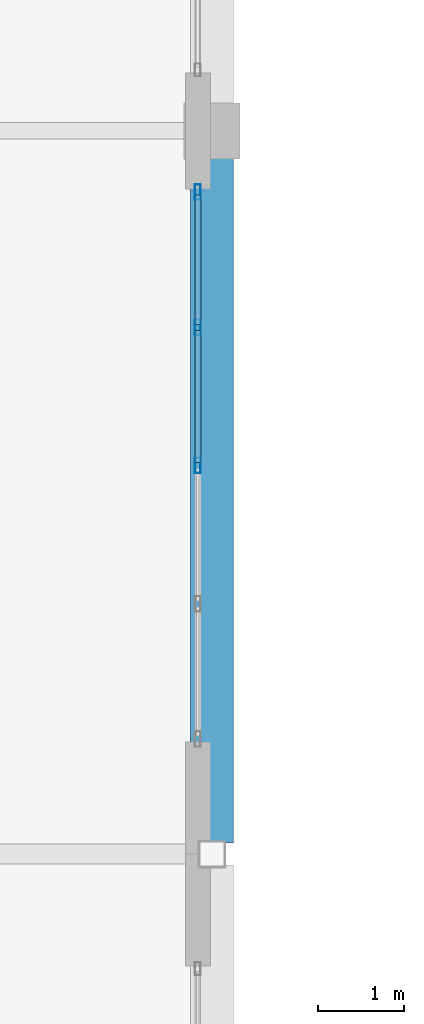
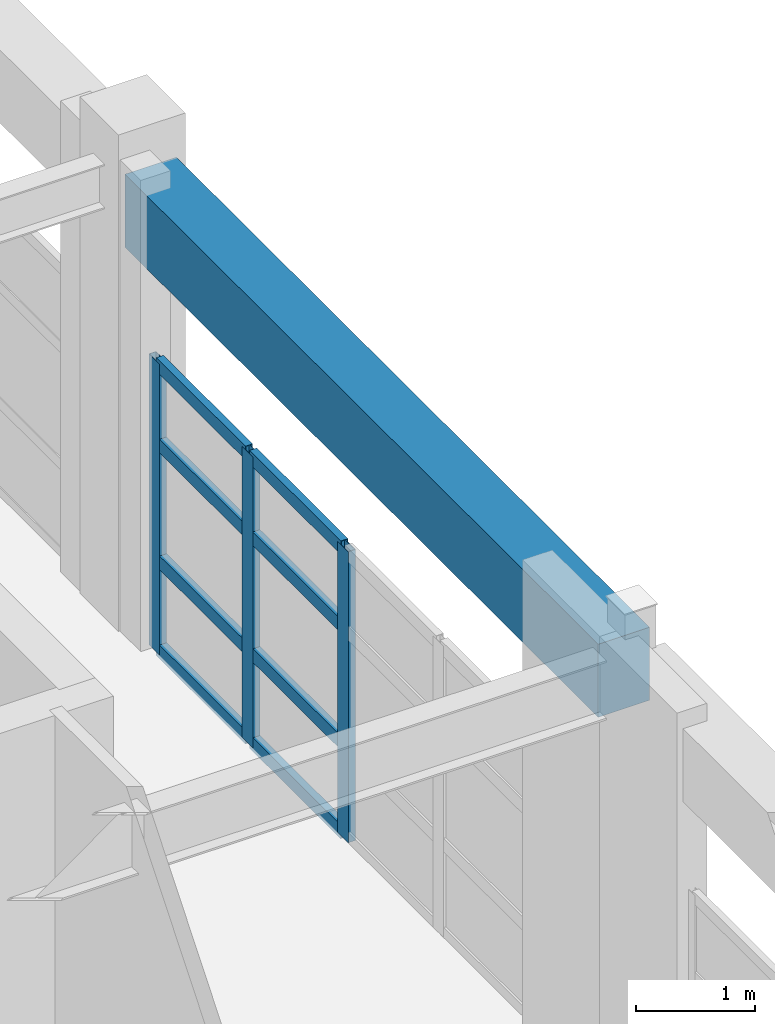
# One storey, part 19 of 78: 11 members, 1 beam, 1 element without a shape of its own.
"""IFC4 building model written with IfcOpenShell, lengths in metres."""

from ifc_helpers import new_model, si_unit, direction, frame, origin, origin_2d, place, context, subcontext, project, spatial, rectangle, hollow_rectangle, extrude, material, layer, layer_set, material_profile, profile_set, type_object, element, aggregate, save


model = new_model("IFC4")

# Units and contexts
model_context = context("Model", 3, precision=1e-05, world=origin(), true_north=direction((0.0, 1.0)))
body_context = subcontext(model_context, "Body", "Model", "MODEL_VIEW")
ifc_project = project(units=[si_unit("LENGTHUNIT", "METRE"), si_unit("AREAUNIT", "SQUARE_METRE"), si_unit("VOLUMEUNIT", "CUBIC_METRE"), si_unit("PLANEANGLEUNIT", "RADIAN"), si_unit("MASSUNIT", "GRAM", prefix="KILO")], contexts=[model_context])

# Site, building, storey
site_placement = place(None, origin())
site = spatial("IfcSite", under=ifc_project, at=site_placement, CompositionType="ELEMENT")
building_placement = place(site_placement, origin())
building = spatial("IfcBuilding", under=site, at=building_placement, Name="Quendrovan Civic Courthouse", CompositionType="ELEMENT")
storey_placement = place(building_placement, frame((0.0, 0.0, 20.39990234375)))
storey = spatial("IfcBuildingStorey", under=building, at=storey_placement, Name="L05", CompositionType="ELEMENT", Elevation=20.39990234375)

# Beam
ifc_material_1 = material(Name="Concrete C40/50", Category="concrete")
ifc_material_profile_1 = material_profile(ifc_material_1, rectangle(XDim=0.5, YDim=0.75, at=origin_2d()), Name="RC-BM-500x750")
ifc_profile_set_1 = profile_set([ifc_material_profile_1], Name="Concrete C40/50")
beam_type = type_object("IfcBeamType", Name="BM-RC750", PredefinedType="SPANDREL", material=ifc_profile_set_1)
beam_placement = place(storey_placement, frame((16.800048828125, 56.530029296875, 4.28515625), z_axis=(0.0, 1.0, 0.0), x_axis=(-1.0, 0.0, 0.0)))
element("IfcBeam", 1, at=beam_placement, inside=storey, type_object=beam_type, Name="L05 Girder Y1069", PredefinedType="SPANDREL", context=body_context, shape_type="SweptSolid", body=[
    extrude(rectangle(XDim=0.5, YDim=0.75, at=origin_2d()), origin(), (0.0, 0.0, 1.0), 7.965087890625),
])

# Curtain wall, members
ifc_material_2 = material(Name="Bronze anodised aluminium and low-E glass", Category="aluminium")
ifc_layer = layer(ifc_material_2, 0.179931640625, Name="Bronze anodised aluminium and low-E glass")
ifc_layer_set = layer_set([ifc_layer], Name="Bronze anodised aluminium and low-E glass")
curtain_wall_type = type_object("IfcCurtainWallType", Name="CW-U64x30", PredefinedType="USERDEFINED", material=ifc_layer_set)
curtain_wall_placement = place(storey_placement, origin())
curtain_wall = element("IfcCurtainWall", 2, at=curtain_wall_placement, inside=storey, type_object=curtain_wall_type, Name="L05 Unitised Hurricane Curtain Wall CW-184", ObjectType="UNITISED CURTAIN WALL", PredefinedType="USERDEFINED")
ifc_material_3 = material(Name="Bronze anodised aluminium", Category="aluminium")
ifc_material_profile_2 = material_profile(ifc_material_3, hollow_rectangle(XDim=0.070068359375, YDim=0.179931640625, WallThickness=0.00390625, at=origin_2d()), Name="CW-MULL-70x180")
ifc_profile_set_2 = profile_set([ifc_material_profile_2], Name="Bronze anodised aluminium")
member_type_1 = type_object("IfcMemberType", Name="CW-MULL-A", PredefinedType="MULLION", material=ifc_profile_set_2)
member_1_placement = place(storey_placement, frame((16.635009765625, 64.090087890625, 0.0), z_axis=(0.0, 0.0, 1.0), x_axis=(1.0, 0.0, 0.0)))
member_1 = element("IfcMember", 3, at=member_1_placement, type_object=member_type_1, Name="CW-184 mullion 1", PredefinedType="MULLION", context=body_context, shape_type="SweptSolid", body=[
    extrude(hollow_rectangle(XDim=0.070068359375, YDim=0.179931640625, WallThickness=0.00390625, at=origin_2d()), origin(), (0.0, 0.0, 1.0), 2.989990234375),
])
member_2_placement = place(storey_placement, frame((16.635009765625, 62.518798828125, 0.0), z_axis=(0.0, 0.0, 1.0), x_axis=(1.0, 0.0, 0.0)))
member_2 = element("IfcMember", 4, at=member_2_placement, type_object=member_type_1, Name="CW-184 mullion 2", PredefinedType="MULLION", context=body_context, shape_type="SweptSolid", body=[
    extrude(hollow_rectangle(XDim=0.070068359375, YDim=0.179931640625, WallThickness=0.00390625, at=origin_2d()), origin(), (0.0, 0.0, 1.0), 2.989990234375),
])
member_3_placement = place(storey_placement, frame((16.635009765625, 60.91259765625, 0.0), z_axis=(0.0, 0.0, 1.0), x_axis=(1.0, 0.0, 0.0)))
member_3 = element("IfcMember", 5, at=member_3_placement, type_object=member_type_1, Name="CW-184 mullion 3", PredefinedType="MULLION", context=body_context, shape_type="SweptSolid", body=[
    extrude(hollow_rectangle(XDim=0.070068359375, YDim=0.179931640625, WallThickness=0.00390625, at=origin_2d()), origin(), (0.0, 0.0, 1.0), 2.989990234375),
])
ifc_material_profile_3 = material_profile(ifc_material_3, hollow_rectangle(XDim=0.070068359375, YDim=0.139892578125, WallThickness=0.00390625, at=origin_2d()), Name="CW-TRAN-70x140")
ifc_profile_set_3 = profile_set([ifc_material_profile_3], Name="Bronze anodised aluminium")
member_type_2 = type_object("IfcMemberType", Name="CW-TRAN-A", PredefinedType="USERDEFINED", material=ifc_profile_set_3)
member_4_placement = place(storey_placement, frame((16.635009765625, 64.054931640625, 0.03515625), z_axis=(0.0, -1.0, 0.0), x_axis=(1.0, 0.0, 0.0)))
member_4 = element("IfcMember", 6, at=member_4_placement, type_object=member_type_2, Name="CW-184 transom 1.1", ObjectType="TRANSOM", PredefinedType="USERDEFINED", context=body_context, shape_type="SweptSolid", body=[
    extrude(hollow_rectangle(XDim=0.070068359375, YDim=0.139892578125, WallThickness=0.00390625, at=origin_2d()), origin(), (0.0, 0.0, 1.0), 1.501220703125),
])
member_5_placement = place(storey_placement, frame((16.635009765625, 64.054931640625, 0.9501953125), z_axis=(0.0, -1.0, 0.0), x_axis=(1.0, 0.0, 0.0)))
member_5 = element("IfcMember", 7, at=member_5_placement, type_object=member_type_2, Name="CW-184 transom 1.2", ObjectType="TRANSOM", PredefinedType="USERDEFINED", context=body_context, shape_type="SweptSolid", body=[
    extrude(hollow_rectangle(XDim=0.070068359375, YDim=0.139892578125, WallThickness=0.00390625, at=origin_2d()), origin(), (0.0, 0.0, 1.0), 1.501220703125),
])
member_6_placement = place(storey_placement, frame((16.635009765625, 64.054931640625, 2.150146484375), z_axis=(0.0, -1.0, 0.0), x_axis=(1.0, 0.0, 0.0)))
member_6 = element("IfcMember", 8, at=member_6_placement, type_object=member_type_2, Name="CW-184 transom 1.3", ObjectType="TRANSOM", PredefinedType="USERDEFINED", context=body_context, shape_type="SweptSolid", body=[
    extrude(hollow_rectangle(XDim=0.070068359375, YDim=0.139892578125, WallThickness=0.00390625, at=origin_2d()), origin(), (0.0, 0.0, 1.0), 1.501220703125),
])
member_7_placement = place(storey_placement, frame((16.635009765625, 64.054931640625, 2.955078125), z_axis=(0.0, -1.0, 0.0), x_axis=(1.0, 0.0, 0.0)))
member_7 = element("IfcMember", 9, at=member_7_placement, type_object=member_type_2, Name="CW-184 transom 1.4", ObjectType="TRANSOM", PredefinedType="USERDEFINED", context=body_context, shape_type="SweptSolid", body=[
    extrude(hollow_rectangle(XDim=0.070068359375, YDim=0.139892578125, WallThickness=0.00390625, at=origin_2d()), origin(), (0.0, 0.0, 1.0), 1.501220703125),
])
member_8_placement = place(storey_placement, frame((16.635009765625, 62.483642578125, 0.03515625), z_axis=(0.0, -1.0, 0.0), x_axis=(1.0, 0.0, 0.0)))
member_8 = element("IfcMember", 10, at=member_8_placement, type_object=member_type_2, Name="CW-184 transom 2.1", ObjectType="TRANSOM", PredefinedType="USERDEFINED", context=body_context, shape_type="SweptSolid", body=[
    extrude(hollow_rectangle(XDim=0.070068359375, YDim=0.139892578125, WallThickness=0.00390625, at=origin_2d()), origin(), (0.0, 0.0, 1.0), 1.5361328125),
])
member_9_placement = place(storey_placement, frame((16.635009765625, 62.483642578125, 0.9501953125), z_axis=(0.0, -1.0, 0.0), x_axis=(1.0, 0.0, 0.0)))
member_9 = element("IfcMember", 11, at=member_9_placement, type_object=member_type_2, Name="CW-184 transom 2.2", ObjectType="TRANSOM", PredefinedType="USERDEFINED", context=body_context, shape_type="SweptSolid", body=[
    extrude(hollow_rectangle(XDim=0.070068359375, YDim=0.139892578125, WallThickness=0.00390625, at=origin_2d()), origin(), (0.0, 0.0, 1.0), 1.5361328125),
])
member_10_placement = place(storey_placement, frame((16.635009765625, 62.483642578125, 2.150146484375), z_axis=(0.0, -1.0, 0.0), x_axis=(1.0, 0.0, 0.0)))
member_10 = element("IfcMember", 12, at=member_10_placement, type_object=member_type_2, Name="CW-184 transom 2.3", ObjectType="TRANSOM", PredefinedType="USERDEFINED", context=body_context, shape_type="SweptSolid", body=[
    extrude(hollow_rectangle(XDim=0.070068359375, YDim=0.139892578125, WallThickness=0.00390625, at=origin_2d()), origin(), (0.0, 0.0, 1.0), 1.5361328125),
])
member_11_placement = place(storey_placement, frame((16.635009765625, 62.483642578125, 2.955078125), z_axis=(0.0, -1.0, 0.0), x_axis=(1.0, 0.0, 0.0)))
member_11 = element("IfcMember", 13, at=member_11_placement, type_object=member_type_2, Name="CW-184 transom 2.4", ObjectType="TRANSOM", PredefinedType="USERDEFINED", context=body_context, shape_type="SweptSolid", body=[
    extrude(hollow_rectangle(XDim=0.070068359375, YDim=0.139892578125, WallThickness=0.00390625, at=origin_2d()), origin(), (0.0, 0.0, 1.0), 1.5361328125),
])
aggregate(curtain_wall, [member_1, member_2, member_3, member_4, member_5, member_6, member_7, member_8, member_9, member_10, member_11])

save(model, "model.ifc")
